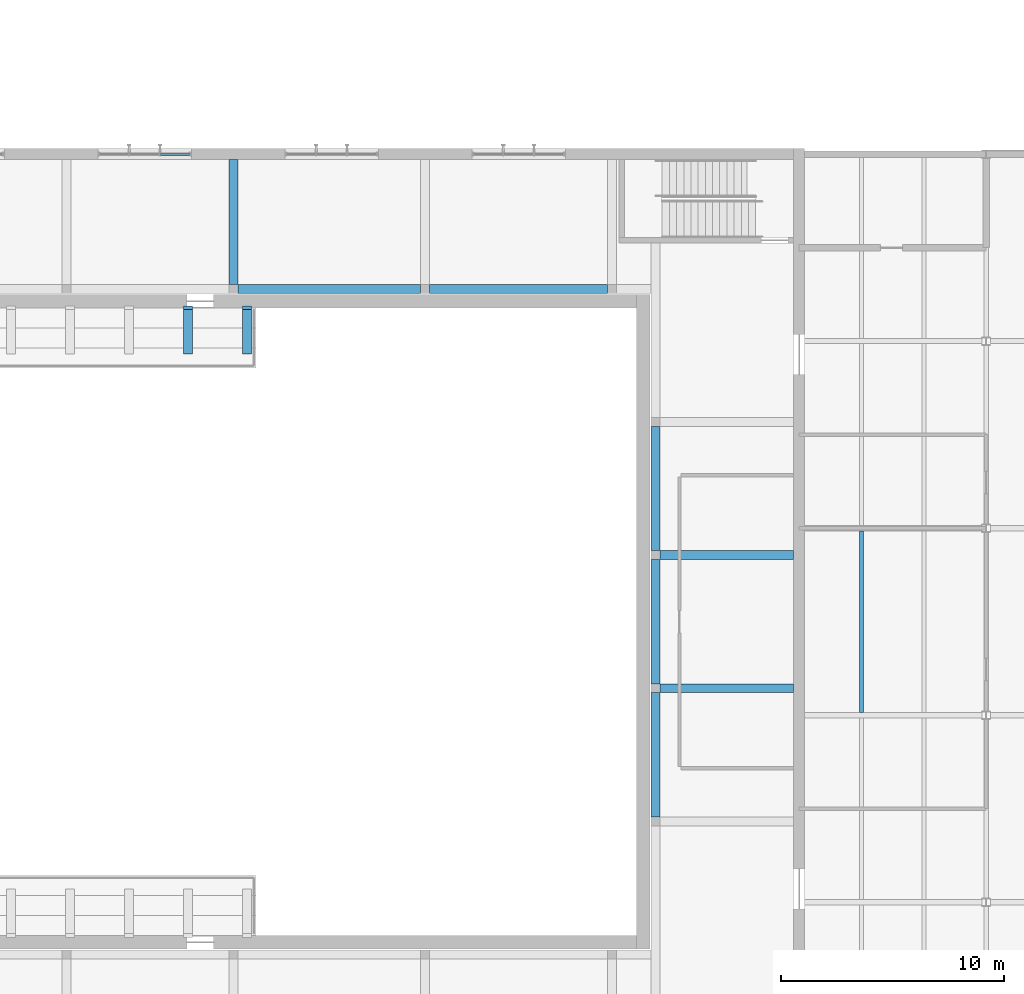
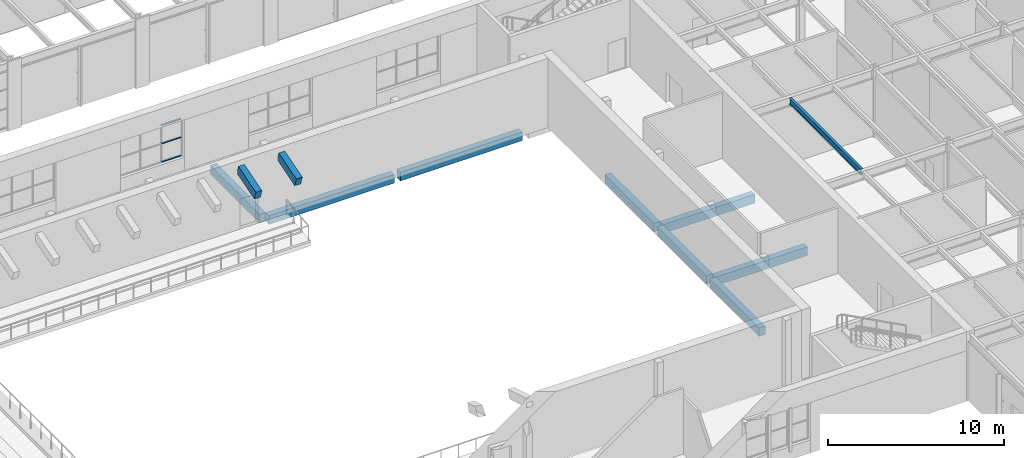
# One storey, part 45 of 127: 11 beams, 3 members, 1 element without a shape of its own.
"""IFC4 building model written with IfcOpenShell, lengths in metres."""

import ifcopenshell
import ifcopenshell.guid

model = None  # the IFC model being written
_history = None  # IfcOwnerHistory: only IFC2X3 demands one
_inside = {}  # id of a spatial element -> (the spatial element, [elements in it])
_under = {}  # id of a project, library or spatial element -> (it, [spatial elements below it])
_declared = {}  # id of a project -> (the project, [libraries it declares])
_typed = {}  # id of a type object -> (the type object, [elements of that type])
_made_of = {}  # id of a material, layer set ... -> (it, [elements and type objects made of it])


def new_model(schema):
    """Start an empty IFC model of exactly this schema.

    Asked for "IFC4X3", IfcOpenShell would pick the latest addendum, in which some entities
    have other attributes; the version numbers below select the first issue.
    IFC2X3 requires an IfcOwnerHistory on every rooted entity: one is made here for all.
    """
    global model, _history
    if schema == "IFC4X3":
        model = ifcopenshell.file(schema_version=(4, 3, 0, 0))
    else:
        model = ifcopenshell.file(schema=schema)
    _inside.clear()
    _under.clear()
    _declared.clear()
    _typed.clear()
    _made_of.clear()
    _history = None
    if model.schema == "IFC2X3":
        org = make("IfcOrganization", Name="unknown")
        user = make(
            "IfcPersonAndOrganization",
            ThePerson=make("IfcPerson", FamilyName="unknown"),
            TheOrganization=org,
        )
        app = make(
            "IfcApplication",
            ApplicationDeveloper=org,
            Version="unknown",
            ApplicationFullName="unknown",
            ApplicationIdentifier="unknown",
        )
        _history = make(
            "IfcOwnerHistory",
            OwningUser=user,
            OwningApplication=app,
            ChangeAction="ADDED",
            CreationDate=0,
        )
    return model


def make(cls, **values):
    """One entity of the class cls with the attributes given. An attribute that is None is left unset."""
    return model.create_entity(
        cls, **{name: value for name, value in values.items() if value is not None}
    )


def rooted(cls, **values):
    """An entity with a GlobalId (a new one), such as an element, a storey or a relation."""
    return make(cls, GlobalId=ifcopenshell.guid.new(), OwnerHistory=_history, **values)


def si_unit(unit_type, name, prefix=None):
    """IfcSIUnit, for example si_unit("LENGTHUNIT", "METRE", prefix="MILLI")."""
    return make("IfcSIUnit", UnitType=unit_type, Prefix=prefix, Name=name)


def assignment(units):
    """IfcUnitAssignment: the units of a project."""
    return None if units is None else make("IfcUnitAssignment", Units=units)


def point(xyz):
    """IfcCartesianPoint."""
    return None if xyz is None else make("IfcCartesianPoint", Coordinates=xyz)


def direction(xyz):
    """IfcDirection."""
    return None if xyz is None else make("IfcDirection", DirectionRatios=xyz)


def frame(location, z_axis=None, x_axis=None):
    """IfcAxis2Placement3D, a coordinate frame: its origin and axes. An axis left out is left unset."""
    return make(
        "IfcAxis2Placement3D",
        Location=point(location),
        Axis=direction(z_axis),
        RefDirection=direction(x_axis),
    )


def frame_2d(location, x_axis=None):
    """IfcAxis2Placement2D, a coordinate frame in the plane: its origin and x axis."""
    return make(
        "IfcAxis2Placement2D", Location=point(location), RefDirection=direction(x_axis)
    )


def origin():
    """The frame at (0, 0, 0) with its axes left unset."""
    return frame((0.0, 0.0, 0.0))


def origin_2d():
    """The frame at (0, 0) in the plane with its x axis left unset."""
    return frame_2d((0.0, 0.0))


def place(relative_to, where):
    """IfcLocalPlacement: puts the frame where relative to a parent placement (None: the world)."""
    return make(
        "IfcLocalPlacement", PlacementRelTo=relative_to, RelativePlacement=where
    )


def context(
    kind, dimensions, precision=None, world=None, true_north=None, identifier=None
):
    """IfcGeometricRepresentationContext, for example the 3D "Model" context."""
    return make(
        "IfcGeometricRepresentationContext",
        ContextIdentifier=identifier,
        ContextType=kind,
        CoordinateSpaceDimension=dimensions,
        Precision=precision,
        WorldCoordinateSystem=world,
        TrueNorth=true_north,
    )


def subcontext(parent, identifier, kind, view, scale=None):
    """IfcGeometricRepresentationSubContext, for example "Body" below "Model"."""
    return make(
        "IfcGeometricRepresentationSubContext",
        ContextIdentifier=identifier,
        ContextType=kind,
        ParentContext=parent,
        TargetScale=scale,
        TargetView=view,
    )


def project(units=None, contexts=None):
    """IfcProject with its units and contexts."""
    return rooted(
        "IfcProject",
        Name="project",
        RepresentationContexts=contexts,
        UnitsInContext=assignment(units),
    )


def spatial(cls, under=None, at=None, **own):
    """A site, building, storey or space (cls), placed at a placement, below another one or the project."""
    s = rooted(cls, ObjectPlacement=at, **own)
    if under is not None:
        _under.setdefault(under.id(), (under, []))[1].append(s)
    return s


def profile(cls, at=None, kind="AREA", **sizes):
    """A parametric profile (cls). Its sizes go by their IFC names, for example OverallWidth=200.0."""
    return make(cls, ProfileType=kind, Position=at, **sizes)


def rectangle(**sizes):
    """IfcRectangleProfileDef."""
    return profile("IfcRectangleProfileDef", **sizes)


def i_section(**sizes):
    """IfcIShapeProfileDef."""
    return profile("IfcIShapeProfileDef", **sizes)


def extrude(swept, where, along, depth):
    """IfcExtrudedAreaSolid: the profile swept, set in the frame where, extruded along a direction by depth."""
    return make(
        "IfcExtrudedAreaSolid",
        SweptArea=swept,
        Position=where,
        ExtrudedDirection=direction(along),
        Depth=depth,
    )


def shape(context_of_items, identifier, shape_type, items):
    """IfcShapeRepresentation: the items that make up one representation, for example the "Body"."""
    return make(
        "IfcShapeRepresentation",
        ContextOfItems=context_of_items,
        RepresentationIdentifier=identifier,
        RepresentationType=shape_type,
        Items=items,
    )


def material(Name=None, Category=None):
    """IfcMaterial."""
    return make("IfcMaterial", Name=Name, Category=Category)


def material_profile(
    of_material, cross_section, Name=None, Category=None, Priority=None
):
    """IfcMaterialProfile: a cross section and its material."""
    return make(
        "IfcMaterialProfile",
        Name=Name,
        Material=of_material,
        Profile=cross_section,
        Priority=Priority,
        Category=Category,
    )


def profile_set(profiles, Name=None, composite=None):
    """IfcMaterialProfileSet."""
    return make(
        "IfcMaterialProfileSet",
        Name=Name,
        MaterialProfiles=profiles,
        CompositeProfile=composite,
    )


def made_of(thing, what):
    """Note that an element or type object is made of a material, layer set ...; save() writes the relation."""
    if what is not None:
        _made_of.setdefault(what.id(), (what, []))[1].append(thing)
    return thing


def type_object(cls, material=None, **own):
    """A type object (cls), such as IfcWallType, which elements share."""
    return made_of(rooted(cls, **own), material)


def element(
    cls,
    number,
    at=None,
    inside=None,
    cuts=None,
    type_object=None,
    material=None,
    context=None,
    identifier="Body",
    shape_type=None,
    held_by="IfcProductDefinitionShape",
    body=None,
    shapes=None,
    **own,
):
    """One element of the class cls, such as IfcWall. Its Tag is "e" and its number.

    at: its placement. inside: the storey or other place that contains it. cuts: it is an
    opening in that element (IfcRelVoidsElement). A single representation is given by context,
    identifier, shape_type and body (its items); several are given by shapes. held_by: the class
    of the entity that holds the representations. save() writes the other relations.
    """
    e = rooted(cls, Tag="e%d" % number, ObjectPlacement=at, **own)
    if body is not None:
        shapes = [shape(context, identifier, shape_type, body)]
    if shapes is not None:
        e.Representation = make(held_by, Representations=shapes)
    if inside is not None:
        _inside.setdefault(inside.id(), (inside, []))[1].append(e)
    if cuts is not None:
        rooted(
            "IfcRelVoidsElement", RelatingBuildingElement=cuts, RelatedOpeningElement=e
        )
    if type_object is not None:
        _typed.setdefault(type_object.id(), (type_object, []))[1].append(e)
    return made_of(e, material)


def aggregate(whole, parts):
    """IfcRelAggregates: a whole, such as a stair, and the parts it consists of."""
    return rooted("IfcRelAggregates", RelatingObject=whole, RelatedObjects=parts)


def save(model, path):
    """Write the relations noted so far, then the file.

    IfcRelAggregates (storeys below a building ...), IfcRelContainedInSpatialStructure (elements
    in a storey), IfcRelDefinesByType, IfcRelAssociatesMaterial and IfcRelDeclares: one each for
    every whole, place, type object, material and project.
    """
    for whole, parts in _under.values():
        aggregate(whole, parts)
    for where, things in _inside.values():
        rooted(
            "IfcRelContainedInSpatialStructure",
            RelatedElements=things,
            RelatingStructure=where,
        )
    for kind, things in _typed.values():
        rooted("IfcRelDefinesByType", RelatedObjects=things, RelatingType=kind)
    for what, things in _made_of.values():
        rooted("IfcRelAssociatesMaterial", RelatedObjects=things, RelatingMaterial=what)
    for by, libraries in _declared.values():
        rooted("IfcRelDeclares", RelatingContext=by, RelatedDefinitions=libraries)
    model.write(path)


model = new_model("IFC4")

# Units and contexts
model_context = context("Model", 3, precision=1e-05, world=origin(), true_north=direction((0.0, 1.0)))
body_context = subcontext(model_context, "Body", "Model", "MODEL_VIEW")
ifc_project = project(units=[si_unit("LENGTHUNIT", "METRE"), si_unit("AREAUNIT", "SQUARE_METRE"), si_unit("VOLUMEUNIT", "CUBIC_METRE"), si_unit("PLANEANGLEUNIT", "RADIAN"), si_unit("MASSUNIT", "GRAM", prefix="KILO")], contexts=[model_context])

# Site, building, storey
site_placement = place(None, origin())
site = spatial("IfcSite", under=ifc_project, at=site_placement, CompositionType="ELEMENT")
building_placement = place(site_placement, origin())
building = spatial("IfcBuilding", under=site, at=building_placement, Name="Ljudholm Concert House", CompositionType="ELEMENT")
storey_placement = place(building_placement, frame((0.0, 0.0, 5.39990234375)))
storey = spatial("IfcBuildingStorey", under=building, at=storey_placement, Name="L01", CompositionType="ELEMENT", Elevation=5.39990234375)

# Beams
ifc_material_1 = material(Name="Concrete 6,500 psi", Category="concrete")
ifc_material_profile_1 = material_profile(ifc_material_1, rectangle(XDim=0.39990234375, YDim=0.60009765625, at=origin_2d()), Name="RC BEAM 400x600")
ifc_profile_set_1 = profile_set([ifc_material_profile_1], Name="Concrete 6,500 psi")
beam_type_1 = type_object("IfcBeamType", Name="RC BEAM 400x600", PredefinedType="BEAM", material=ifc_profile_set_1)
beam_1_placement = place(storey_placement, frame((71.199951171875, 90.35009765625, -0.5498046875), z_axis=(1.0, 0.0, 0.0), x_axis=(0.0, 1.0, 0.0)))
element("IfcBeam", 1, at=beam_1_placement, inside=storey, type_object=beam_type_1, Name="Ring beam", PredefinedType="BEAM", context=body_context, shape_type="SweptSolid", body=[
    extrude(rectangle(XDim=0.39990234375, YDim=0.60009765625, at=origin_2d()), origin(), (0.0, 0.0, 1.0), 8.199951171875),
])
beam_2_placement = place(storey_placement, frame((79.800048828125, 90.35009765625, -0.5498046875), z_axis=(1.0, 0.0, 0.0), x_axis=(0.0, 1.0, 0.0)))
element("IfcBeam", 2, at=beam_2_placement, inside=storey, type_object=beam_type_1, Name="Ring beam", PredefinedType="BEAM", context=body_context, shape_type="SweptSolid", body=[
    extrude(rectangle(XDim=0.39990234375, YDim=0.60009765625, at=origin_2d()), origin(), (0.0, 0.0, 1.0), 8.0),
])
beam_3_placement = place(storey_placement, frame((89.949951171875, 66.6298828125, -0.5498046875), z_axis=(0.0, 1.0, 0.0), x_axis=(-1.0, 0.0, 0.0)))
element("IfcBeam", 3, at=beam_3_placement, inside=storey, type_object=beam_type_1, Name="Ring beam", PredefinedType="BEAM", context=body_context, shape_type="SweptSolid", body=[
    extrude(rectangle(XDim=0.39990234375, YDim=0.60009765625, at=origin_2d()), origin(), (0.0, 0.0, 1.0), 5.580078125),
])
for number, where, z_axis, x_axis, name in (
    (4, (89.949951171875, 72.610107421875, -0.5498046875), (0.0, 1.0, 0.0), (-1.0, 0.0, 0.0), "Ring beam"),
    (5, (89.949951171875, 78.590087890625, -0.5498046875), (0.0, 1.0, 0.0), (-1.0, 0.0, 0.0), "Ring beam"),
):
    element("IfcBeam", number, at=place(storey_placement, frame(where, z_axis=z_axis, x_axis=x_axis)), inside=storey, type_object=beam_type_1, Name=name, PredefinedType="BEAM", context=body_context, shape_type="SweptSolid", body=[
        extrude(rectangle(XDim=0.39990234375, YDim=0.60009765625, at=origin_2d()), origin(), (0.0, 0.0, 1.0), 5.579833984375),
    ])
beam_4_placement = place(storey_placement, frame((71.0, 90.550048828125, -0.5498046875), z_axis=(0.0, 1.0, 0.0), x_axis=(-1.0, 0.0, 0.0)))
element("IfcBeam", 6, at=beam_4_placement, inside=storey, type_object=beam_type_1, Name="Ring cross beam", PredefinedType="BEAM", context=body_context, shape_type="SweptSolid", body=[
    extrude(rectangle(XDim=0.39990234375, YDim=0.60009765625, at=origin_2d()), origin(), (0.0, 0.0, 1.0), 5.599853515625),
])
for number, where, z_axis, x_axis, name in (
    (7, (90.14990234375, 72.409912109375, -0.5498046875), (1.0, 0.0, 0.0), (0.0, 1.0, 0.0), "Ring cross beam"),
    (8, (90.14990234375, 78.389892578125, -0.5498046875), (1.0, 0.0, 0.0), (0.0, 1.0, 0.0), "Ring cross beam"),
):
    element("IfcBeam", number, at=place(storey_placement, frame(where, z_axis=z_axis, x_axis=x_axis)), inside=storey, type_object=beam_type_1, Name=name, PredefinedType="BEAM", context=body_context, shape_type="SweptSolid", body=[
        extrude(rectangle(XDim=0.39990234375, YDim=0.60009765625, at=origin_2d()), origin(), (0.0, 0.0, 1.0), 6.0),
    ])
ifc_material_2 = material(Name="Concrete 6,500 psi", Category="concrete")
ifc_material_profile_2 = material_profile(ifc_material_2, rectangle(XDim=0.39990234375, YDim=0.60009765625, at=origin_2d()), Name="RC BEAM 400x600 BEAM")
ifc_profile_set_2 = profile_set([ifc_material_profile_2], Name="Concrete 6,500 psi")
beam_type_2 = type_object("IfcBeamType", Name="RC BEAM 400x600 BEAM", PredefinedType="BEAM", material=ifc_profile_set_2)
for number, where, z_axis, x_axis, name in (
    (9, (68.949951171875, 87.5, 3.60009765625), (0.0, 0.957813412269, 0.287390791914), (-1.0, 0.0, 0.0), "Gallery bracket beam"),
    (10, (71.60009765625, 87.5, 3.60009765625), (0.0, 0.957813412269, 0.287390791914), (-1.0, 0.0, 0.0), "Gallery bracket beam"),
):
    element("IfcBeam", number, at=place(storey_placement, frame(where, z_axis=z_axis, x_axis=x_axis)), inside=storey, type_object=beam_type_2, Name=name, PredefinedType="BEAM", context=body_context, shape_type="SweptSolid", body=[
        extrude(rectangle(XDim=0.39990234375, YDim=0.60009765625, at=origin_2d()), origin(), (0.0, 0.0, 1.0), 2.088134765625),
    ])
ifc_material_3 = material(Name="Steel ASTM A992", Category="steel")
ifc_material_profile_3 = material_profile(ifc_material_3, i_section(OverallWidth=0.177734375, OverallDepth=0.406494140625, WebThickness=0.0078125, FlangeThickness=0.012939453125, FilletRadius=0.01025390625, at=origin_2d()), Name="W16X40")
ifc_profile_set_3 = profile_set([ifc_material_profile_3], Name="Steel ASTM A992")
beam_type_3 = type_object("IfcBeamType", Name="STEEL BEAM W16X40", PredefinedType="BEAM", material=ifc_profile_set_3)
beam_5_placement = place(storey_placement, frame((99.199951171875, 71.314453125, 4.4169921875), z_axis=(0.0, 1.0, 0.0), x_axis=(-1.0, 0.0, 0.0)))
element("IfcBeam", 11, at=beam_5_placement, inside=storey, type_object=beam_type_3, Name="Beam BOH-L02-sb-99.2-71.2", PredefinedType="BEAM", context=body_context, shape_type="SweptSolid", body=[
    extrude(i_section(OverallWidth=0.177734375, OverallDepth=0.406494140625, WebThickness=0.0078125, FlangeThickness=0.012939453125, FilletRadius=0.01025390625, at=origin_2d()), origin(), (0.0, 0.0, 1.0), 8.1708984375),
])

# Curtain wall, members
ifc_material_4 = material(Name="Aluminium curtain wall with impact-rated laminated glass", Category="aluminium")
curtain_wall_type = type_object("IfcCurtainWallType", Name="CURTAIN WALL 1400", PredefinedType="NOTDEFINED", material=ifc_material_4)
curtain_wall_placement = place(storey_placement, origin())
curtain_wall = element("IfcCurtainWall", 12, at=curtain_wall_placement, inside=storey, type_object=curtain_wall_type, Name="Promenade curtain wall", PredefinedType="NOTDEFINED")
ifc_material_5 = material(Name="Aluminium extrusion", Category="aluminium")
ifc_material_profile_4 = material_profile(ifc_material_5, rectangle(XDim=0.1201171875, YDim=0.06005859375, at=origin_2d()), Name="TRANSOM 60x120")
ifc_profile_set_4 = profile_set([ifc_material_profile_4], Name="Aluminium extrusion")
member_type = type_object("IfcMemberType", Name="TRANSOM 60x120", PredefinedType="USERDEFINED", material=ifc_profile_set_4)
member_1_placement = place(storey_placement, frame((67.719970703125, 96.39990234375, 0.93017578125), z_axis=(1.0, 0.0, 0.0), x_axis=(0.0, 1.0, 0.0)))
member_1 = element("IfcMember", 13, at=member_1_placement, type_object=member_type, Name="Transom", ObjectType="TRANSOM", PredefinedType="USERDEFINED", context=body_context, shape_type="SweptSolid", body=[
    extrude(rectangle(XDim=0.1201171875, YDim=0.06005859375, at=origin_2d()), origin(), (0.0, 0.0, 1.0), 1.2900390625),
])
member_2_placement = place(storey_placement, frame((67.719970703125, 96.39990234375, 2.2001953125), z_axis=(1.0, 0.0, 0.0), x_axis=(0.0, 1.0, 0.0)))
member_2 = element("IfcMember", 14, at=member_2_placement, type_object=member_type, Name="Transom", ObjectType="TRANSOM", PredefinedType="USERDEFINED", context=body_context, shape_type="SweptSolid", body=[
    extrude(rectangle(XDim=0.1201171875, YDim=0.06005859375, at=origin_2d()), origin(), (0.0, 0.0, 1.0), 1.2900390625),
])
member_3_placement = place(storey_placement, frame((67.719970703125, 96.39990234375, 3.47021484375), z_axis=(1.0, 0.0, 0.0), x_axis=(0.0, 1.0, 0.0)))
member_3 = element("IfcMember", 15, at=member_3_placement, type_object=member_type, Name="Transom", ObjectType="TRANSOM", PredefinedType="USERDEFINED", context=body_context, shape_type="SweptSolid", body=[
    extrude(rectangle(XDim=0.1201171875, YDim=0.06005859375, at=origin_2d()), origin(), (0.0, 0.0, 1.0), 1.2900390625),
])
aggregate(curtain_wall, [member_1, member_2, member_3])

save(model, "model.ifc")
